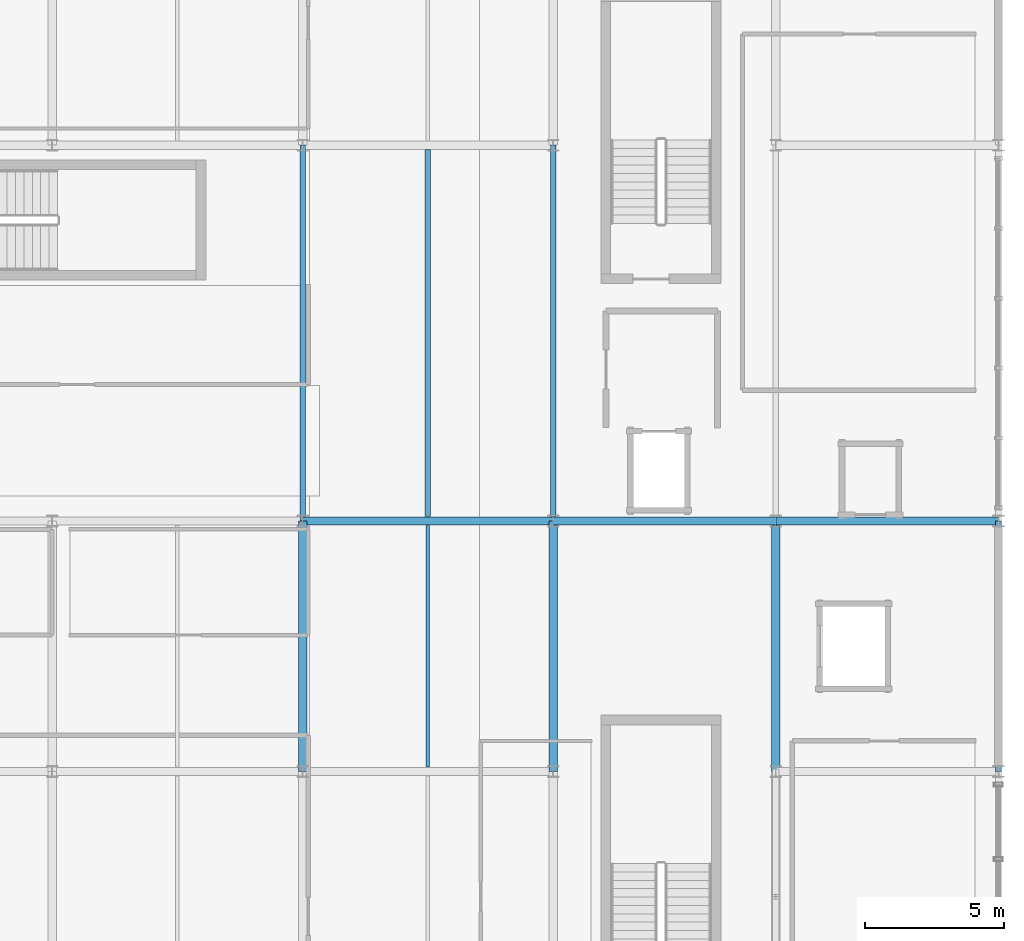
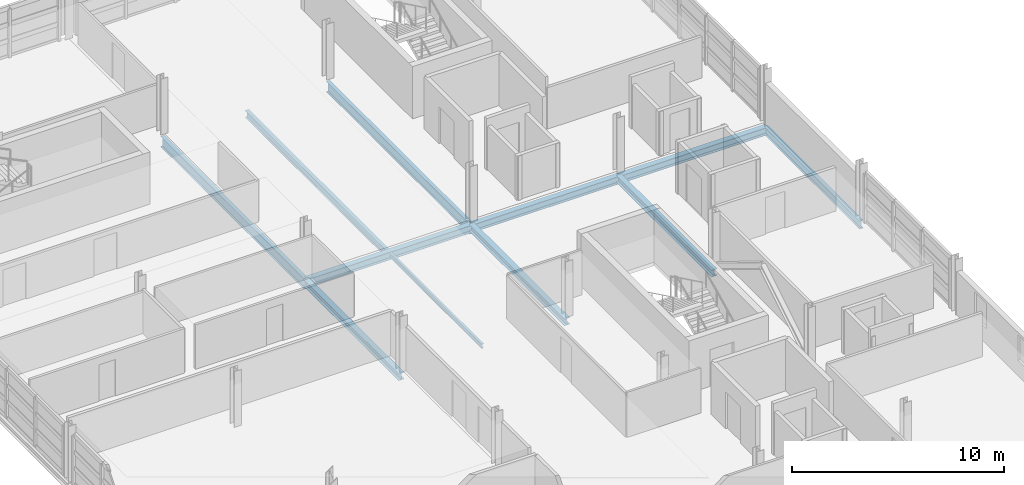
# One storey, part 52 of 86: 11 beams.
"""IFC4 building model written with IfcOpenShell, lengths in metres."""

from ifc_helpers import new_model, si_unit, direction, frame, origin, origin_2d, place, context, subcontext, project, spatial, i_section, extrude, material, material_profile, profile_set, type_object, element, save


model = new_model("IFC4")

# Units and contexts
model_context = context("Model", 3, precision=1e-05, world=origin(), true_north=direction((0.0, 1.0)))
body_context = subcontext(model_context, "Body", "Model", "MODEL_VIEW")
ifc_project = project(units=[si_unit("LENGTHUNIT", "METRE"), si_unit("AREAUNIT", "SQUARE_METRE"), si_unit("VOLUMEUNIT", "CUBIC_METRE"), si_unit("PLANEANGLEUNIT", "RADIAN"), si_unit("MASSUNIT", "GRAM", prefix="KILO")], contexts=[model_context])

# Site, building, storey
site_placement = place(None, origin())
site = spatial("IfcSite", under=ifc_project, at=site_placement, CompositionType="ELEMENT")
building_placement = place(site_placement, origin())
building = spatial("IfcBuilding", under=site, at=building_placement, Name="Chuanluo Vaults Station", CompositionType="ELEMENT")
storey_placement = place(building_placement, frame((0.0, 0.0, 14.39990234375)))
storey = spatial("IfcBuildingStorey", under=building, at=storey_placement, Name="L03", CompositionType="ELEMENT", Elevation=14.39990234375)

# Beams
ifc_material_1 = material(Name="Steel Q355C", Category="steel")
ifc_material_profile_1 = material_profile(ifc_material_1, i_section(OverallWidth=0.300048828125, OverallDepth=0.389892578125, WebThickness=0.010009765625, FlangeThickness=0.01611328125, FilletRadius=0.02001953125, at=origin_2d()))
ifc_profile_set_1 = profile_set([ifc_material_profile_1], Name="Steel Q355C")
beam_type_1 = type_object("IfcBeamType", Name="BM-GRD-400", PredefinedType="BEAM", material=ifc_profile_set_1)
for number, where, z_axis, x_axis, name in (
    (1, (163.0, 94.5, -0.414794921875), (0.0, 1.0, 0.0), (-1.0, 0.0, 0.0), "Floor girder BM:GY:L03:0811"),
    (2, (172.0, 94.5, -0.414794921875), (0.0, 1.0, 0.0), (-1.0, 0.0, 0.0), "Floor girder BM:GY:L03:0821"),
    (3, (180.0, 94.5, -0.414794921875), (0.0, 1.0, 0.0), (-1.0, 0.0, 0.0), "Floor girder BM:GY:L03:0831"),
):
    element("IfcBeam", number, at=place(storey_placement, frame(where, z_axis=z_axis, x_axis=x_axis)), inside=storey, type_object=beam_type_1, Name=name, PredefinedType="BEAM", context=body_context, shape_type="SweptSolid", body=[
        extrude(i_section(OverallWidth=0.300048828125, OverallDepth=0.389892578125, WebThickness=0.010009765625, FlangeThickness=0.01611328125, FilletRadius=0.02001953125, at=origin_2d()), origin(), (0.0, 0.0, 1.0), 9.0),
    ])
ifc_material_2 = material(Name="Steel Q355C", Category="steel")
ifc_material_profile_2 = material_profile(ifc_material_2, i_section(OverallWidth=0.300048828125, OverallDepth=0.43994140625, WebThickness=0.010986328125, FlangeThickness=0.01806640625, FilletRadius=0.02001953125, at=origin_2d()))
ifc_profile_set_2 = profile_set([ifc_material_profile_2], Name="Steel Q355C")
beam_type_2 = type_object("IfcBeamType", Name="BM-GRD-450", PredefinedType="USERDEFINED", material=ifc_profile_set_2)
beam_1_placement = place(storey_placement, frame((163.0, 103.5, -0.43994140625), z_axis=(1.0, 0.0, 0.0), x_axis=(0.0, 1.0, 0.0)))
element("IfcBeam", 4, at=beam_1_placement, inside=storey, type_object=beam_type_2, Name="Floor girder BM:GX:L03:0758", ObjectType="GIRDER", PredefinedType="USERDEFINED", context=body_context, shape_type="SweptSolid", body=[
    extrude(i_section(OverallWidth=0.300048828125, OverallDepth=0.43994140625, WebThickness=0.010986328125, FlangeThickness=0.01806640625, FilletRadius=0.02001953125, at=origin_2d()), origin(), (0.0, 0.0, 1.0), 9.0),
])
for number, where, z_axis, x_axis, name in (
    (5, (172.0, 103.5, -0.43994140625), (1.0, 0.0, 0.0), (0.0, 1.0, 0.0), "Floor girder BM:GX:L03:0759"),
    (6, (180.0, 103.5, -0.43994140625), (1.0, 0.0, 0.0), (0.0, 1.0, 0.0), "Floor girder BM:GX:L03:0760"),
):
    element("IfcBeam", number, at=place(storey_placement, frame(where, z_axis=z_axis, x_axis=x_axis)), inside=storey, type_object=beam_type_2, Name=name, ObjectType="GIRDER", PredefinedType="USERDEFINED", context=body_context, shape_type="SweptSolid", body=[
        extrude(i_section(OverallWidth=0.300048828125, OverallDepth=0.43994140625, WebThickness=0.010986328125, FlangeThickness=0.01806640625, FilletRadius=0.02001953125, at=origin_2d()), origin(), (0.0, 0.0, 1.0), 8.0),
    ])
ifc_material_3 = material(Name="Steel Q355C", Category="steel")
ifc_material_profile_3 = material_profile(ifc_material_3, i_section(OverallWidth=0.199951171875, OverallDepth=0.60009765625, WebThickness=0.010986328125, FlangeThickness=0.01708984375, FilletRadius=0.01806640625, at=origin_2d()))
ifc_profile_set_3 = profile_set([ifc_material_profile_3], Name="Steel Q355C")
beam_type_3 = type_object("IfcBeamType", Name="BM-GRD-600", PredefinedType="USERDEFINED", material=ifc_profile_set_3)
for number, where, z_axis, x_axis, name in (
    (7, (163.0, 103.5, -0.52001953125), (0.0, 1.0, 0.0), (-1.0, 0.0, 0.0), "Floor girder BM:GY:L03:0812"),
    (8, (172.0, 103.5, -0.52001953125), (0.0, 1.0, 0.0), (-1.0, 0.0, 0.0), "Floor girder BM:GY:L03:0822"),
):
    element("IfcBeam", number, at=place(storey_placement, frame(where, z_axis=z_axis, x_axis=x_axis)), inside=storey, type_object=beam_type_3, Name=name, ObjectType="GIRDER", PredefinedType="USERDEFINED", context=body_context, shape_type="SweptSolid", body=[
        extrude(i_section(OverallWidth=0.199951171875, OverallDepth=0.60009765625, WebThickness=0.010986328125, FlangeThickness=0.01708984375, FilletRadius=0.01806640625, at=origin_2d()), origin(), (0.0, 0.0, 1.0), 13.5),
    ])
ifc_material_4 = material(Name="Steel Q355C", Category="steel")
ifc_material_profile_4 = material_profile(ifc_material_4, i_section(OverallWidth=0.125, OverallDepth=0.25, WebThickness=0.006103515625, FlangeThickness=0.009033203125, FilletRadius=0.011962890625, at=origin_2d()))
ifc_profile_set_4 = profile_set([ifc_material_profile_4], Name="Steel Q355C")
beam_type_4 = type_object("IfcBeamType", Name="BM-SEC-250", PredefinedType="JOIST", material=ifc_profile_set_4)
beam_2_placement = place(storey_placement, frame((167.5, 94.655029296875, -0.344970703125), z_axis=(0.0, 1.0, 0.0), x_axis=(-1.0, 0.0, 0.0)))
element("IfcBeam", 9, at=beam_2_placement, inside=storey, type_object=beam_type_4, Name="Composite secondary joist 0256", PredefinedType="JOIST", context=body_context, shape_type="SweptSolid", body=[
    extrude(i_section(OverallWidth=0.125, OverallDepth=0.25, WebThickness=0.006103515625, FlangeThickness=0.009033203125, FilletRadius=0.011962890625, at=origin_2d()), origin(), (0.0, 0.0, 1.0), 8.68994140625),
])
ifc_material_5 = material(Name="Steel Q355C", Category="steel")
ifc_material_profile_5 = material_profile(ifc_material_5, i_section(OverallWidth=0.199951171875, OverallDepth=0.39990234375, WebThickness=0.008056640625, FlangeThickness=0.012939453125, FilletRadius=0.01611328125, at=origin_2d()))
ifc_profile_set_5 = profile_set([ifc_material_profile_5], Name="Steel Q355C")
beam_type_5 = type_object("IfcBeamType", Name="BM-SEC-400", PredefinedType="BEAM", material=ifc_profile_set_5)
beam_3_placement = place(storey_placement, frame((167.5, 103.655029296875, -0.419921875), z_axis=(0.0, 1.0, 0.0), x_axis=(-1.0, 0.0, 0.0)))
element("IfcBeam", 10, at=beam_3_placement, inside=storey, type_object=beam_type_5, Name="Composite secondary joist 0257", PredefinedType="BEAM", context=body_context, shape_type="SweptSolid", body=[
    extrude(i_section(OverallWidth=0.199951171875, OverallDepth=0.39990234375, WebThickness=0.008056640625, FlangeThickness=0.012939453125, FilletRadius=0.01611328125, at=origin_2d()), origin(), (0.0, 0.0, 1.0), 13.18994140625),
])
ifc_material_6 = material(Name="Steel Q355C", Category="steel")
ifc_material_profile_6 = material_profile(ifc_material_6, i_section(OverallWidth=0.205078125, OverallDepth=0.4599609375, WebThickness=0.009033203125, FlangeThickness=0.013916015625, FilletRadius=0.01611328125, at=origin_2d()))
ifc_profile_set_6 = profile_set([ifc_material_profile_6], Name="Steel Q355C")
beam_type_6 = type_object("IfcBeamType", Name="BM-SPN-450", PredefinedType="SPANDREL", material=ifc_profile_set_6)
beam_4_placement = place(storey_placement, frame((188.0, 94.5, -0.449951171875), z_axis=(0.0, 1.0, 0.0), x_axis=(-1.0, 0.0, 0.0)))
element("IfcBeam", 11, at=beam_4_placement, inside=storey, type_object=beam_type_6, Name="Floor girder BM:GY:L03:0837", PredefinedType="SPANDREL", context=body_context, shape_type="SweptSolid", body=[
    extrude(i_section(OverallWidth=0.205078125, OverallDepth=0.4599609375, WebThickness=0.009033203125, FlangeThickness=0.013916015625, FilletRadius=0.01611328125, at=origin_2d()), origin(), (0.0, 0.0, 1.0), 9.0),
])

save(model, "model.ifc")
